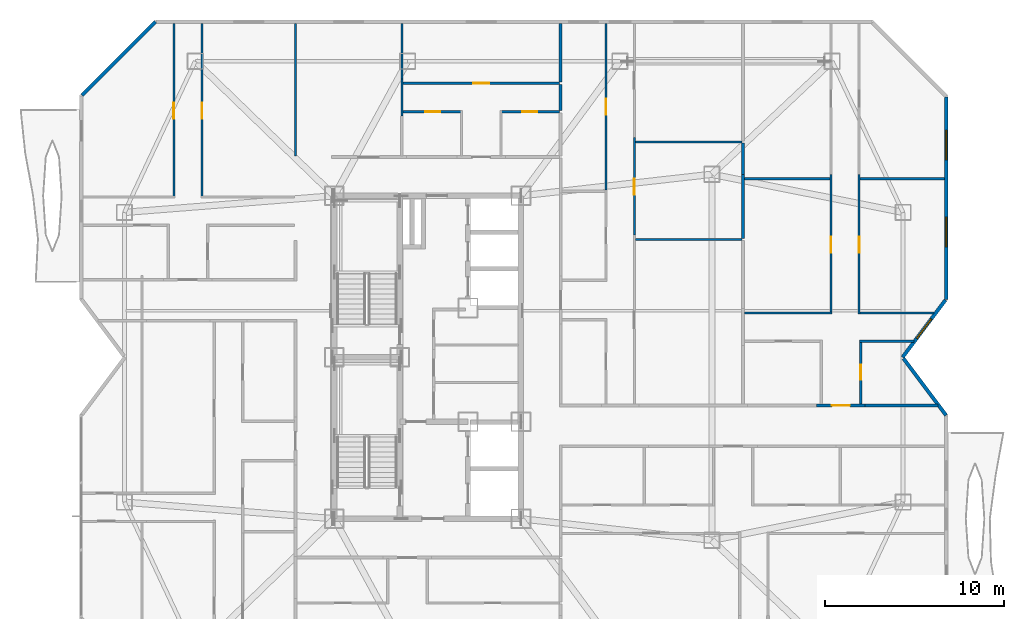
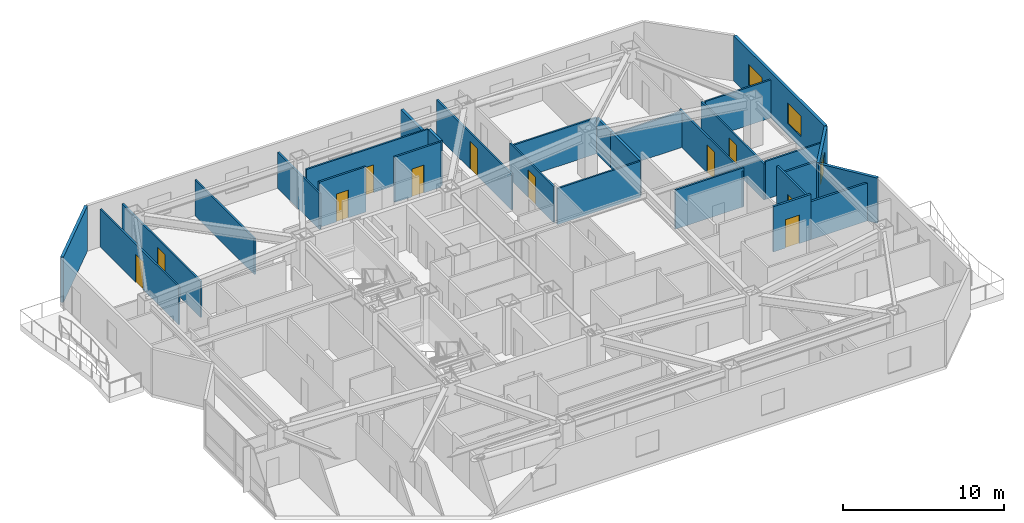
# One storey, part 14 of 17: 30 walls, 11 doors, 3 windows, 14 openings.
"""IFC4 building model written with IfcOpenShell, lengths in metres."""

from ifc_helpers import new_model, si_unit, direction, frame, frame_2d, origin, place, context, subcontext, project, spatial, rectangle, extrude, material, layer, layer_set, type_object, element, fill, save


model = new_model("IFC4")

# Units and contexts
model_context = context("Model", 3, precision=1e-05, world=origin(), true_north=direction((0.0, 1.0)))
body_context = subcontext(model_context, "Body", "Model", "MODEL_VIEW")
ifc_project = project(units=[si_unit("LENGTHUNIT", "METRE"), si_unit("AREAUNIT", "SQUARE_METRE"), si_unit("VOLUMEUNIT", "CUBIC_METRE"), si_unit("PLANEANGLEUNIT", "RADIAN"), si_unit("MASSUNIT", "GRAM", prefix="KILO")], contexts=[model_context])

# Site, building, storey
site_placement = place(None, origin())
site = spatial("IfcSite", under=ifc_project, at=site_placement, CompositionType="ELEMENT")
building_placement = place(site_placement, origin())
building = spatial("IfcBuilding", under=site, at=building_placement, Name="Khamvora Tower", CompositionType="ELEMENT")
storey_placement = place(building_placement, frame((0.0, 0.0, 192.39990234375)))
storey = spatial("IfcBuildingStorey", under=building, at=storey_placement, Name="L49", CompositionType="ELEMENT", Elevation=192.39990234375)

# Wall, opening, door
ifc_material_1 = material(Name="Fire-Rated Drywall and Steel Stud", Category="steel")
ifc_layer_1 = layer(ifc_material_1, 0.14990234375)
ifc_layer_set_1 = layer_set([ifc_layer_1], Name="Fire-Rated Drywall and Steel Stud")
wall_type_1 = type_object("IfcWallType", Name="WAL-CORR-150", PredefinedType="STANDARD", material=ifc_layer_set_1)
wall_1_placement = place(storey_placement, frame((55.889892578125, 25.31494140625, 0.0), z_axis=(0.0, 0.0, 1.0), x_axis=(1.0, 0.0, 0.0)))
wall_1 = element("IfcWall", 1, at=wall_1_placement, inside=storey, type_object=wall_type_1, Name="L49 interior partition wall 041", PredefinedType="STANDARD", context=body_context, shape_type="SweptSolid", body=[
    extrude(rectangle(XDim=2.697998046875, YDim=0.14990234375, at=frame_2d((1.34912109375, 0.0))), origin(), (0.0, 0.0, 1.0), 3.43017578125),
])
opening_1_placement = place(wall_1_placement, frame((0.84912109375, 0.0, 0.0)))
opening_1 = element("IfcOpeningElement", 2, at=opening_1_placement, cuts=wall_1, Name="Opening D-U1", PredefinedType="OPENING", context=body_context, shape_type="SweptSolid", body=[
    extrude(rectangle(XDim=1.0, YDim=2.14990234375, at=frame_2d((0.5, 1.074951171875))), frame((0.0, 0.0849609375, 0.0), z_axis=(0.0, -1.0, 0.0), x_axis=(1.0, 0.0, 0.0)), (0.0, 0.0, 1.0), 0.169921875),
])
ifc_material_2 = material(Name="Powder-Coated Steel and Hardwood Leaf", Category="steel")
door_type_1 = type_object("IfcDoorType", Name="DOR-UNIT-1000", OperationType="NOTDEFINED", PredefinedType="DOOR", material=ifc_material_2)
door_1_placement = place(opening_1_placement, origin())
door_1 = element("IfcDoor", 3, at=door_1_placement, inside=storey, type_object=door_type_1, Name="L49 interior door COR-49ECH", OperationType="SINGLE_SWING_LEFT", OverallHeight=2.14990234375, OverallWidth=1.0, PredefinedType="DOOR", context=body_context, shape_type="SweptSolid", body=[
    extrude(rectangle(XDim=1.0, YDim=2.14990234375, at=frame_2d((0.5, 1.074951171875))), frame((0.0, 0.02490234375, 0.0), z_axis=(0.0, -1.0, 0.0), x_axis=(1.0, 0.0, 0.0)), (0.0, 0.0, 1.0), 0.050048828125),
])
fill(opening_1, door_1)

# Walls
wall_2_placement = place(storey_placement, frame((58.587890625, 25.31494140625, 0.0), z_axis=(0.0, 0.0, 1.0), x_axis=(1.0, 0.0, 0.0)))
element("IfcWall", 4, at=wall_2_placement, inside=storey, type_object=wall_type_1, Name="L49 interior partition wall 042", PredefinedType="STANDARD", context=body_context, shape_type="SweptSolid", body=[
    extrude(rectangle(XDim=4.07421875, YDim=0.14990234375, at=frame_2d((2.037109375, 0.0))), origin(), (0.0, 0.0, 1.0), 2.8759765625),
])
ifc_material_3 = material(Name="Acoustic Double-Stud Fire Wall", Category="gypsum")
ifc_layer_2 = layer(ifc_material_3, 0.179931640625)
ifc_layer_set_2 = layer_set([ifc_layer_2], Name="Acoustic Double-Stud Fire Wall")
wall_type_2 = type_object("IfcWallType", Name="WAL-CORR-180", PredefinedType="STANDARD", material=ifc_layer_set_2)
wall_3_placement = place(storey_placement, frame((41.614990234375, 43.2099609375, 0.0), z_axis=(0.0, 0.0, 1.0), x_axis=(0.0, -1.0, 0.0)))
element("IfcWall", 5, at=wall_3_placement, inside=storey, type_object=wall_type_2, Name="L49 interior partition wall 089", PredefinedType="STANDARD", context=body_context, shape_type="SweptSolid", body=[
    extrude(rectangle(XDim=1.449951171875, YDim=0.179931640625, at=frame_2d((0.72509765625, 0.0))), origin(), (0.0, 0.0, 1.0), 3.43017578125),
])
wall_4_placement = place(storey_placement, frame((41.614990234375, 46.60791015625, 0.0), z_axis=(0.0, 0.0, 1.0), x_axis=(0.0, -1.0, 0.0)))
element("IfcWall", 6, at=wall_4_placement, inside=storey, type_object=wall_type_2, Name="L49 interior partition wall 091", PredefinedType="STANDARD", context=body_context, shape_type="SweptSolid", body=[
    extrude(rectangle(XDim=3.267822265625, YDim=0.179931640625, at=frame_2d((1.6337890625, 0.0))), origin(), (0.0, 0.0, 1.0), 2.8759765625),
])
wall_5_placement = place(storey_placement, frame((51.784912109375, 38.196044921875, 0.0), z_axis=(0.0, 0.0, 1.0), x_axis=(0.0, -1.0, 0.0)))
element("IfcWall", 7, at=wall_5_placement, inside=storey, type_object=wall_type_2, Name="L49 interior partition wall 122", PredefinedType="STANDARD", context=body_context, shape_type="SweptSolid", body=[
    extrude(rectangle(XDim=3.56396484375, YDim=0.179931640625, at=frame_2d((1.781982421875, 0.0))), origin(), (0.0, 0.0, 1.0), 2.72509765625),
])
wall_6_placement = place(storey_placement, frame((51.784912109375, 39.93798828125, 0.0), z_axis=(0.0, 0.0, 1.0), x_axis=(0.0, -1.0, 0.0)))
element("IfcWall", 8, at=wall_6_placement, inside=storey, type_object=wall_type_2, Name="L49 interior partition wall 123", PredefinedType="STANDARD", context=body_context, shape_type="SweptSolid", body=[
    extrude(rectangle(XDim=1.741943359375, YDim=0.179931640625, at=frame_2d((0.87109375, 0.0))), origin(), (0.0, 0.0, 1.0), 2.72509765625),
])
ifc_material_4 = material(Name="Precast concrete C40/50", Category="concrete")
ifc_layer_3 = layer(ifc_material_4, 0.199951171875)
ifc_layer_set_3 = layer_set([ifc_layer_3], Name="Precast concrete C40/50")
wall_type_3 = type_object("IfcWallType", Name="WAL-EXT-200", PredefinedType="STANDARD", material=ifc_layer_set_3)
wall_7_placement = place(storey_placement, frame((14.945068359375, 42.60400390625, 0.0), z_axis=(0.0, 0.0, 1.0), x_axis=(0.707106781187, 0.707106781187, 0.0)))
element("IfcWall", 9, at=wall_7_placement, inside=storey, type_object=wall_type_3, Name="L49 exterior facade wall 06.1", PredefinedType="STANDARD", context=body_context, shape_type="SweptSolid", body=[
    extrude(rectangle(XDim=5.79248046875, YDim=0.199951171875, at=frame_2d((2.896240234375, 0.0))), origin(), (0.0, 0.0, 1.0), 3.43017578125),
])

# Wall, openings, windows
wall_8_placement = place(storey_placement, frame((63.10009765625, 42.49609375, 0.0), z_axis=(0.0, 0.0, 1.0), x_axis=(0.0, -1.0, 0.0)))
wall_8 = element("IfcWall", 10, at=wall_8_placement, inside=storey, type_object=wall_type_3, Name="L49 exterior facade wall 09.1", PredefinedType="STANDARD", context=body_context, shape_type="SweptSolid", body=[
    extrude(rectangle(XDim=11.26318359375, YDim=0.199951171875, at=frame_2d((5.631591796875, 0.0))), origin(), (0.0, 0.0, 1.0), 3.43017578125),
])
opening_2_placement = place(wall_8_placement, frame((6.68896484375, 0.0, 0.85009765625)))
opening_2 = element("IfcOpeningElement", 11, at=opening_2_placement, cuts=wall_8, Name="Opening WN-06", PredefinedType="OPENING", context=body_context, shape_type="SweptSolid", body=[
    extrude(rectangle(XDim=1.64990234375, YDim=1.550048828125, at=frame_2d((0.824951171875, 0.77490234375))), frame((0.0, 0.10986328125, 0.0), z_axis=(0.0, -1.0, 0.0), x_axis=(1.0, 0.0, 0.0)), (0.0, 0.0, 1.0), 0.219970703125),
])
opening_3_placement = place(wall_8_placement, frame((1.842041015625, 0.0, 0.85009765625)))
opening_3 = element("IfcOpeningElement", 12, at=opening_3_placement, cuts=wall_8, Name="Opening WN-06", PredefinedType="OPENING", context=body_context, shape_type="SweptSolid", body=[
    extrude(rectangle(XDim=1.64990234375, YDim=1.550048828125, at=frame_2d((0.824951171875, 0.77490234375))), frame((0.0, 0.10986328125, 0.0), z_axis=(0.0, -1.0, 0.0), x_axis=(1.0, 0.0, 0.0)), (0.0, 0.0, 1.0), 0.219970703125),
])
ifc_material_5 = material(Name="Low-E Laminated Double Glazing", Category="glass")
window_type_1 = type_object("IfcWindowType", Name="WIN-VIS-1650x1550", PartitioningType="SINGLE_PANEL", PredefinedType="WINDOW", material=ifc_material_5)
window_1_placement = place(opening_2_placement, origin())
window_1 = element("IfcWindow", 13, at=window_1_placement, inside=storey, type_object=window_type_1, Name="L49 vision window 09.1.01", OverallHeight=1.550048828125, OverallWidth=1.64990234375, PartitioningType="SINGLE_PANEL", PredefinedType="WINDOW", context=body_context, shape_type="SweptSolid", body=[
    extrude(rectangle(XDim=1.64990234375, YDim=1.550048828125, at=frame_2d((0.824951171875, 0.77490234375))), frame((0.0, 0.030029296875, 0.0), z_axis=(0.0, -1.0, 0.0), x_axis=(1.0, 0.0, 0.0)), (0.0, 0.0, 1.0), 0.06005859375),
])
fill(opening_2, window_1)
window_2_placement = place(opening_3_placement, origin())
window_2 = element("IfcWindow", 14, at=window_2_placement, inside=storey, type_object=window_type_1, Name="L49 vision window 09.1.02", OverallHeight=1.550048828125, OverallWidth=1.64990234375, PartitioningType="SINGLE_PANEL", PredefinedType="WINDOW", context=body_context, shape_type="SweptSolid", body=[
    extrude(rectangle(XDim=1.64990234375, YDim=1.550048828125, at=frame_2d((0.824951171875, 0.77490234375))), frame((0.0, 0.030029296875, 0.0), z_axis=(0.0, -1.0, 0.0), x_axis=(1.0, 0.0, 0.0)), (0.0, 0.0, 1.0), 0.06005859375),
])
fill(opening_3, window_2)

# Wall, opening, window
wall_9_placement = place(storey_placement, frame((63.069091796875, 31.19091796875, 0.0), z_axis=(0.0, 0.0, 1.0), x_axis=(-0.600137081448, -0.799897170561, 0.0)))
wall_9 = element("IfcWall", 15, at=wall_9_placement, inside=storey, type_object=wall_type_3, Name="L49 exterior facade wall 10.1", PredefinedType="STANDARD", context=body_context, shape_type="SweptSolid", body=[
    extrude(rectangle(XDim=3.9892578125, YDim=0.199951171875, at=frame_2d((1.99462890625, 0.0))), origin(), (0.0, 0.0, 1.0), 3.43017578125),
])
opening_4_placement = place(wall_9_placement, frame((1.318115234375, 0.0, 0.85009765625)))
opening_4 = element("IfcOpeningElement", 16, at=opening_4_placement, cuts=wall_9, Name="Opening WN-07", PredefinedType="OPENING", context=body_context, shape_type="SweptSolid", body=[
    extrude(rectangle(XDim=1.35009765625, YDim=1.5, at=frame_2d((0.675048828125, 0.75))), frame((0.0, 0.10986328125, 0.0), z_axis=(0.0, -1.0, 0.0), x_axis=(1.0, 0.0, 0.0)), (0.0, 0.0, 1.0), 0.219970703125),
])
window_type_2 = type_object("IfcWindowType", Name="WIN-VIS-1350x1500", PartitioningType="SINGLE_PANEL", PredefinedType="WINDOW", material=ifc_material_5)
window_3_placement = place(opening_4_placement, origin())
window_3 = element("IfcWindow", 17, at=window_3_placement, inside=storey, type_object=window_type_2, Name="L49 vision window 10.1.01", OverallHeight=1.5, OverallWidth=1.35009765625, PartitioningType="SINGLE_PANEL", PredefinedType="WINDOW", context=body_context, shape_type="SweptSolid", body=[
    extrude(rectangle(XDim=1.35009765625, YDim=1.5, at=frame_2d((0.675048828125, 0.75))), frame((0.0, 0.030029296875, 0.0), z_axis=(0.0, -1.0, 0.0), x_axis=(1.0, 0.0, 0.0)), (0.0, 0.0, 1.0), 0.06005859375),
])
fill(opening_4, window_3)

# Walls
wall_10_placement = place(storey_placement, frame((60.72705078125, 27.930908203125, 0.0), z_axis=(0.0, 0.0, 1.0), x_axis=(0.600029630681, -0.799977776132, 0.0)))
element("IfcWall", 18, at=wall_10_placement, inside=storey, type_object=wall_type_3, Name="L49 exterior facade wall 11.1", PredefinedType="STANDARD", context=body_context, shape_type="SweptSolid", body=[
    extrude(rectangle(XDim=3.954833984375, YDim=0.199951171875, at=frame_2d((1.9775390625, 0.0))), origin(), (0.0, 0.0, 1.0), 3.43017578125),
])
ifc_material_6 = material(Name="Gypsum Plasterboard Partition", Category="gypsum")
ifc_layer_4 = layer(ifc_material_6, 0.1201171875)
ifc_layer_set_4 = layer_set([ifc_layer_4], Name="Gypsum Plasterboard Partition")
wall_type_4 = type_object("IfcWallType", Name="WAL-PART-120", PredefinedType="PARTITIONING", material=ifc_layer_set_4)
wall_11_placement = place(storey_placement, frame((26.8349609375, 39.22998046875, 0.0), z_axis=(0.0, 0.0, 1.0), x_axis=(0.0, 1.0, 0.0)))
element("IfcWall", 19, at=wall_11_placement, inside=storey, type_object=wall_type_4, Name="L49 interior partition wall 044", PredefinedType="PARTITIONING", context=body_context, shape_type="SweptSolid", body=[
    extrude(rectangle(XDim=7.3779296875, YDim=0.1201171875, at=frame_2d((3.68896484375, 0.0))), origin(), (0.0, 0.0, 1.0), 2.72509765625),
])
wall_12_placement = place(storey_placement, frame((32.764892578125, 43.52392578125, 0.0), z_axis=(0.0, 0.0, 1.0), x_axis=(0.0, -1.0, 0.0)))
element("IfcWall", 20, at=wall_12_placement, inside=storey, type_object=wall_type_4, Name="L49 interior partition wall 045", PredefinedType="PARTITIONING", context=body_context, shape_type="SweptSolid", body=[
    extrude(rectangle(XDim=2.077880859375, YDim=0.1201171875, at=frame_2d((1.0390625, 0.0))), origin(), (0.0, 0.0, 1.0), 2.72509765625),
])
wall_13_placement = place(storey_placement, frame((32.764892578125, 46.60791015625, 0.0), z_axis=(0.0, 0.0, 1.0), x_axis=(0.0, -1.0, 0.0)))
element("IfcWall", 21, at=wall_13_placement, inside=storey, type_object=wall_type_4, Name="L49 interior partition wall 047", PredefinedType="PARTITIONING", context=body_context, shape_type="SweptSolid", body=[
    extrude(rectangle(XDim=3.083984375, YDim=0.1201171875, at=frame_2d((1.5419921875, 0.0))), origin(), (0.0, 0.0, 1.0), 2.72509765625),
])

# Wall, opening, door
wall_14_placement = place(storey_placement, frame((20.054931640625, 36.8759765625, 0.0), z_axis=(0.0, 0.0, 1.0), x_axis=(0.0, 1.0, 0.0)))
wall_14 = element("IfcWall", 22, at=wall_14_placement, inside=storey, type_object=wall_type_4, Name="L49 interior partition wall 070", PredefinedType="PARTITIONING", context=body_context, shape_type="SweptSolid", body=[
    extrude(rectangle(XDim=9.73193359375, YDim=0.1201171875, at=frame_2d((4.865966796875, 0.0))), origin(), (0.0, 0.0, 1.0), 2.8759765625),
])
opening_5_placement = place(wall_14_placement, frame((4.416015625, 0.0, 0.0)))
opening_5 = element("IfcOpeningElement", 23, at=opening_5_placement, cuts=wall_14, Name="Opening D-RM1", PredefinedType="OPENING", context=body_context, shape_type="SweptSolid", body=[
    extrude(rectangle(XDim=0.89990234375, YDim=2.10009765625, at=frame_2d((0.449951171875, 1.050048828125))), frame((0.0, 0.070068359375, 0.0), z_axis=(0.0, -1.0, 0.0), x_axis=(1.0, 0.0, 0.0)), (0.0, 0.0, 1.0), 0.14013671875),
])
door_type_2 = type_object("IfcDoorType", Name="DOR-ROOM-900", OperationType="NOTDEFINED", PredefinedType="DOOR", material=ifc_material_2)
door_2_placement = place(opening_5_placement, origin())
door_2 = element("IfcDoor", 24, at=door_2_placement, inside=storey, type_object=door_type_2, Name="L49 interior door 49WBH-49WBR1", OperationType="SINGLE_SWING_LEFT", OverallHeight=2.10009765625, OverallWidth=0.89990234375, PredefinedType="DOOR", context=body_context, shape_type="SweptSolid", body=[
    extrude(rectangle(XDim=0.89990234375, YDim=2.10009765625, at=frame_2d((0.449951171875, 1.050048828125))), frame((0.0, 0.02490234375, 0.0), z_axis=(0.0, -1.0, 0.0), x_axis=(1.0, 0.0, 0.0)), (0.0, 0.0, 1.0), 0.050048828125),
])
fill(opening_5, door_2)

wall_15_placement = place(storey_placement, frame((21.625, 46.60791015625, 0.0), z_axis=(0.0, 0.0, 1.0), x_axis=(0.0, -1.0, 0.0)))
wall_15 = element("IfcWall", 25, at=wall_15_placement, inside=storey, type_object=wall_type_4, Name="L49 interior partition wall 071", PredefinedType="PARTITIONING", context=body_context, shape_type="SweptSolid", body=[
    extrude(rectangle(XDim=9.73193359375, YDim=0.1201171875, at=frame_2d((4.865966796875, 0.0))), origin(), (0.0, 0.0, 1.0), 2.72509765625),
])
opening_6_placement = place(wall_15_placement, frame((4.416015625, 0.0, 0.0)))
opening_6 = element("IfcOpeningElement", 26, at=opening_6_placement, cuts=wall_15, Name="Opening D-RM1", PredefinedType="OPENING", context=body_context, shape_type="SweptSolid", body=[
    extrude(rectangle(XDim=0.89990234375, YDim=2.10009765625, at=frame_2d((0.449951171875, 1.050048828125))), frame((0.0, 0.070068359375, 0.0), z_axis=(0.0, -1.0, 0.0), x_axis=(1.0, 0.0, 0.0)), (0.0, 0.0, 1.0), 0.14013671875),
])
door_3_placement = place(opening_6_placement, origin())
door_3 = element("IfcDoor", 27, at=door_3_placement, inside=storey, type_object=door_type_2, Name="L49 interior door 49WBH-49WBR2", OperationType="SINGLE_SWING_RIGHT", OverallHeight=2.10009765625, OverallWidth=0.89990234375, PredefinedType="DOOR", context=body_context, shape_type="SweptSolid", body=[
    extrude(rectangle(XDim=0.89990234375, YDim=2.10009765625, at=frame_2d((0.449951171875, 1.050048828125))), frame((0.0, 0.02490234375, 0.0), z_axis=(0.0, -1.0, 0.0), x_axis=(1.0, 0.0, 0.0)), (0.0, 0.0, 1.0), 0.050048828125),
])
fill(opening_6, door_3)

wall_16_placement = place(storey_placement, frame((32.819091796875, 43.27490234375, 0.0), z_axis=(0.0, 0.0, 1.0), x_axis=(1.0, 0.0, 0.0)))
wall_16 = element("IfcWall", 28, at=wall_16_placement, inside=storey, type_object=wall_type_4, Name="L49 interior partition wall 088", PredefinedType="PARTITIONING", context=body_context, shape_type="SweptSolid", body=[
    extrude(rectangle(XDim=8.73095703125, YDim=0.1201171875, at=frame_2d((4.365478515625, 0.0))), origin(), (0.0, 0.0, 1.0), 3.43017578125),
])
opening_7_placement = place(wall_16_placement, frame((3.9150390625, 0.0, 0.0)))
opening_7 = element("IfcOpeningElement", 29, at=opening_7_placement, cuts=wall_16, Name="Opening D-RM1", PredefinedType="OPENING", context=body_context, shape_type="SweptSolid", body=[
    extrude(rectangle(XDim=0.89990234375, YDim=2.10009765625, at=frame_2d((0.449951171875, 1.050048828125))), frame((0.0, 0.070068359375, 0.0), z_axis=(0.0, -1.0, 0.0), x_axis=(1.0, 0.0, 0.0)), (0.0, 0.0, 1.0), 0.14013671875),
])
door_4_placement = place(opening_7_placement, origin())
door_4 = element("IfcDoor", 30, at=door_4_placement, inside=storey, type_object=door_type_2, Name="L49 interior door 49NAH-49NAR1", OperationType="SINGLE_SWING_LEFT", OverallHeight=2.10009765625, OverallWidth=0.89990234375, PredefinedType="DOOR", context=body_context, shape_type="SweptSolid", body=[
    extrude(rectangle(XDim=0.89990234375, YDim=2.10009765625, at=frame_2d((0.449951171875, 1.050048828125))), frame((0.0, 0.02490234375, 0.0), z_axis=(0.0, -1.0, 0.0), x_axis=(1.0, 0.0, 0.0)), (0.0, 0.0, 1.0), 0.050048828125),
])
fill(opening_7, door_4)

wall_17_placement = place(storey_placement, frame((44.14501953125, 46.60791015625, 0.0), z_axis=(0.0, 0.0, 1.0), x_axis=(0.0, -1.0, 0.0)))
wall_17 = element("IfcWall", 31, at=wall_17_placement, inside=storey, type_object=wall_type_4, Name="L49 interior partition wall 108", PredefinedType="PARTITIONING", context=body_context, shape_type="SweptSolid", body=[
    extrude(rectangle(XDim=9.286865234375, YDim=0.1201171875, at=frame_2d((4.6435546875, 0.0))), origin(), (0.0, 0.0, 1.0), 2.72509765625),
])
opening_8_placement = place(wall_17_placement, frame((4.194091796875, 0.0, 0.0)))
opening_8 = element("IfcOpeningElement", 32, at=opening_8_placement, cuts=wall_17, Name="Opening D-RM1", PredefinedType="OPENING", context=body_context, shape_type="SweptSolid", body=[
    extrude(rectangle(XDim=0.89990234375, YDim=2.10009765625, at=frame_2d((0.449951171875, 1.050048828125))), frame((0.0, 0.070068359375, 0.0), z_axis=(0.0, -1.0, 0.0), x_axis=(1.0, 0.0, 0.0)), (0.0, 0.0, 1.0), 0.14013671875),
])
door_5_placement = place(opening_8_placement, origin())
door_5 = element("IfcDoor", 33, at=door_5_placement, inside=storey, type_object=door_type_2, Name="L49 interior door 49EBW2-49EBH", OperationType="SINGLE_SWING_RIGHT", OverallHeight=2.10009765625, OverallWidth=0.89990234375, PredefinedType="DOOR", context=body_context, shape_type="SweptSolid", body=[
    extrude(rectangle(XDim=0.89990234375, YDim=2.10009765625, at=frame_2d((0.449951171875, 1.050048828125))), frame((0.0, 0.02490234375, 0.0), z_axis=(0.0, -1.0, 0.0), x_axis=(1.0, 0.0, 0.0)), (0.0, 0.0, 1.0), 0.050048828125),
])
fill(opening_8, door_5)

wall_18_placement = place(storey_placement, frame((45.72509765625, 40.2529296875, 0.0), z_axis=(0.0, 0.0, 1.0), x_axis=(0.0, -1.0, 0.0)))
wall_18 = element("IfcWall", 34, at=wall_18_placement, inside=storey, type_object=wall_type_4, Name="L49 interior partition wall 115", PredefinedType="PARTITIONING", context=body_context, shape_type="SweptSolid", body=[
    extrude(rectangle(XDim=5.43701171875, YDim=0.1201171875, at=frame_2d((2.718505859375, 0.0))), origin(), (0.0, 0.0, 1.0), 2.72509765625),
])
opening_9_placement = place(wall_18_placement, frame((2.2900390625, 0.0, 0.0)))
opening_9 = element("IfcOpeningElement", 35, at=opening_9_placement, cuts=wall_18, Name="Opening D-RM1", PredefinedType="OPENING", context=body_context, shape_type="SweptSolid", body=[
    extrude(rectangle(XDim=0.89990234375, YDim=2.10009765625, at=frame_2d((0.449951171875, 1.050048828125))), frame((0.0, 0.070068359375, 0.0), z_axis=(0.0, -1.0, 0.0), x_axis=(1.0, 0.0, 0.0)), (0.0, 0.0, 1.0), 0.14013671875),
])
door_6_placement = place(opening_9_placement, origin())
door_6 = element("IfcDoor", 36, at=door_6_placement, inside=storey, type_object=door_type_2, Name="L49 interior door 49EBH-49EBR2", OperationType="SINGLE_SWING_RIGHT", OverallHeight=2.10009765625, OverallWidth=0.89990234375, PredefinedType="DOOR", context=body_context, shape_type="SweptSolid", body=[
    extrude(rectangle(XDim=0.89990234375, YDim=2.10009765625, at=frame_2d((0.449951171875, 1.050048828125))), frame((0.0, 0.02490234375, 0.0), z_axis=(0.0, -1.0, 0.0), x_axis=(1.0, 0.0, 0.0)), (0.0, 0.0, 1.0), 0.050048828125),
])
fill(opening_9, door_6)

# Walls
for number, where, z_axis, x_axis, name in (
    (37, (45.779052734375, 34.56689453125, 0.0), (0.0, 0.0, 1.0), (1.0, 0.0, 0.0), "L49 interior partition wall 117"),
    (38, (45.779052734375, 40.0029296875, 0.0), (0.0, 0.0, 1.0), (1.0, 0.0, 0.0), "L49 interior partition wall 121"),
):
    element("IfcWall", number, at=place(storey_placement, frame(where, z_axis=z_axis, x_axis=x_axis)), inside=storey, type_object=wall_type_4, Name=name, PredefinedType="PARTITIONING", context=body_context, shape_type="SweptSolid", body=[
        extrude(rectangle(XDim=5.94091796875, YDim=0.1201171875, at=frame_2d((2.970458984375, 0.0))), origin(), (0.0, 0.0, 1.0), 2.72509765625),
    ])
wall_19_placement = place(storey_placement, frame((51.866943359375, 30.47509765625, 0.0), z_axis=(0.0, 0.0, 1.0), x_axis=(1.0, 0.0, 0.0)))
element("IfcWall", 39, at=wall_19_placement, inside=storey, type_object=wall_type_4, Name="L49 interior partition wall 129", PredefinedType="PARTITIONING", context=body_context, shape_type="SweptSolid", body=[
    extrude(rectangle(XDim=4.883056640625, YDim=0.1201171875, at=frame_2d((2.44140625, 0.0))), origin(), (0.0, 0.0, 1.0), 2.961181640625),
])

# Wall, opening, door
wall_20_placement = place(storey_placement, frame((56.68505859375, 30.409912109375, 0.0), z_axis=(0.0, 0.0, 1.0), x_axis=(0.0, 1.0, 0.0)))
wall_20 = element("IfcWall", 40, at=wall_20_placement, inside=storey, type_object=wall_type_4, Name="L49 interior partition wall 130", PredefinedType="PARTITIONING", context=body_context, shape_type="SweptSolid", body=[
    extrude(rectangle(XDim=7.7861328125, YDim=0.1201171875, at=frame_2d((3.89306640625, 0.0))), origin(), (0.0, 0.0, 1.0), 2.72509765625),
])
opening_10_placement = place(wall_20_placement, frame((3.422119140625, 0.0, 0.0)))
opening_10 = element("IfcOpeningElement", 41, at=opening_10_placement, cuts=wall_20, Name="Opening D-RM1", PredefinedType="OPENING", context=body_context, shape_type="SweptSolid", body=[
    extrude(rectangle(XDim=0.89990234375, YDim=2.10009765625, at=frame_2d((0.449951171875, 1.050048828125))), frame((0.0, 0.070068359375, 0.0), z_axis=(0.0, -1.0, 0.0), x_axis=(1.0, 0.0, 0.0)), (0.0, 0.0, 1.0), 0.14013671875),
])
door_7_placement = place(opening_10_placement, origin())
door_7 = element("IfcDoor", 42, at=door_7_placement, inside=storey, type_object=door_type_2, Name="L49 interior door 49ECH-49ECR1", OperationType="SINGLE_SWING_RIGHT", OverallHeight=2.10009765625, OverallWidth=0.89990234375, PredefinedType="DOOR", context=body_context, shape_type="SweptSolid", body=[
    extrude(rectangle(XDim=0.89990234375, YDim=2.10009765625, at=frame_2d((0.449951171875, 1.050048828125))), frame((0.0, 0.02490234375, 0.0), z_axis=(0.0, -1.0, 0.0), x_axis=(1.0, 0.0, 0.0)), (0.0, 0.0, 1.0), 0.050048828125),
])
fill(opening_10, door_7)

wall_21_placement = place(storey_placement, frame((58.2548828125, 38.196044921875, 0.0), z_axis=(0.0, 0.0, 1.0), x_axis=(0.0, -1.0, 0.0)))
wall_21 = element("IfcWall", 43, at=wall_21_placement, inside=storey, type_object=wall_type_4, Name="L49 interior partition wall 132", PredefinedType="PARTITIONING", context=body_context, shape_type="SweptSolid", body=[
    extrude(rectangle(XDim=7.7861328125, YDim=0.1201171875, at=frame_2d((3.89306640625, 0.0))), origin(), (0.0, 0.0, 1.0), 2.72509765625),
])
opening_11_placement = place(wall_21_placement, frame((3.464111328125, 0.0, 0.0)))
opening_11 = element("IfcOpeningElement", 44, at=opening_11_placement, cuts=wall_21, Name="Opening D-RM1", PredefinedType="OPENING", context=body_context, shape_type="SweptSolid", body=[
    extrude(rectangle(XDim=0.89990234375, YDim=2.10009765625, at=frame_2d((0.449951171875, 1.050048828125))), frame((0.0, 0.070068359375, 0.0), z_axis=(0.0, -1.0, 0.0), x_axis=(1.0, 0.0, 0.0)), (0.0, 0.0, 1.0), 0.14013671875),
])
door_8_placement = place(opening_11_placement, origin())
door_8 = element("IfcDoor", 45, at=door_8_placement, inside=storey, type_object=door_type_2, Name="L49 interior door 49ECH-49ECR3", OperationType="SINGLE_SWING_RIGHT", OverallHeight=2.10009765625, OverallWidth=0.89990234375, PredefinedType="DOOR", context=body_context, shape_type="SweptSolid", body=[
    extrude(rectangle(XDim=0.89990234375, YDim=2.10009765625, at=frame_2d((0.449951171875, 1.050048828125))), frame((0.0, 0.02490234375, 0.0), z_axis=(0.0, -1.0, 0.0), x_axis=(1.0, 0.0, 0.0)), (0.0, 0.0, 1.0), 0.050048828125),
])
fill(opening_11, door_8)

# Walls
wall_22_placement = place(storey_placement, frame((58.306884765625, 30.47509765625, 0.0), z_axis=(0.0, 0.0, 1.0), x_axis=(1.0, 0.0, 0.0)))
element("IfcWall", 46, at=wall_22_placement, inside=storey, type_object=wall_type_4, Name="L49 interior partition wall 133", PredefinedType="PARTITIONING", context=body_context, shape_type="SweptSolid", body=[
    extrude(rectangle(XDim=4.1201171875, YDim=0.1201171875, at=frame_2d((2.06005859375, 0.0))), origin(), (0.0, 0.0, 1.0), 2.8759765625),
])
wall_23_placement = place(storey_placement, frame((51.866943359375, 37.947021484375, 0.0), z_axis=(0.0, 0.0, 1.0), x_axis=(1.0, 0.0, 0.0)))
element("IfcWall", 47, at=wall_23_placement, inside=storey, type_object=wall_type_4, Name="L49 interior partition wall 135", PredefinedType="PARTITIONING", context=body_context, shape_type="SweptSolid", body=[
    extrude(rectangle(XDim=4.76416015625, YDim=0.1201171875, at=frame_2d((2.382080078125, 0.0))), origin(), (0.0, 0.0, 1.0), 2.72509765625),
])
wall_24_placement = place(storey_placement, frame((58.30908203125, 37.947021484375, 0.0), z_axis=(0.0, 0.0, 1.0), x_axis=(1.0, 0.0, 0.0)))
element("IfcWall", 48, at=wall_24_placement, inside=storey, type_object=wall_type_4, Name="L49 interior partition wall 136", PredefinedType="PARTITIONING", context=body_context, shape_type="SweptSolid", body=[
    extrude(rectangle(XDim=4.698974609375, YDim=0.1201171875, at=frame_2d((2.349609375, 0.0))), origin(), (0.0, 0.0, 1.0), 2.8759765625),
])

# Wall, opening, door
ifc_material_7 = material(Name="Moisture-Resistant Plasterboard Partition", Category="gypsum")
ifc_layer_5 = layer(ifc_material_7, 0.135009765625)
ifc_layer_set_5 = layer_set([ifc_layer_5], Name="Moisture-Resistant Plasterboard Partition")
wall_type_5 = type_object("IfcWallType", Name="WAL-WET-135", PredefinedType="PARTITIONING", material=ifc_layer_set_5)
wall_25_placement = place(storey_placement, frame((36.155029296875, 41.695068359375, 0.0), z_axis=(0.0, 0.0, 1.0), x_axis=(-1.0, 0.0, 0.0)))
wall_25 = element("IfcWall", 49, at=wall_25_placement, inside=storey, type_object=wall_type_5, Name="L49 interior partition wall 085", PredefinedType="PARTITIONING", context=body_context, shape_type="SweptSolid", body=[
    extrude(rectangle(XDim=3.3359375, YDim=0.135009765625, at=frame_2d((1.66796875, 0.0))), origin(), (0.0, 0.0, 1.0), 3.43017578125),
])
opening_12_placement = place(wall_25_placement, frame((1.242919921875, 0.0, 0.0)))
opening_12 = element("IfcOpeningElement", 50, at=opening_12_placement, cuts=wall_25, Name="Opening D-WC1", PredefinedType="OPENING", context=body_context, shape_type="SweptSolid", body=[
    extrude(rectangle(XDim=0.85009765625, YDim=2.10009765625, at=frame_2d((0.425048828125, 1.050048828125))), frame((0.0, 0.077392578125, 0.0), z_axis=(0.0, -1.0, 0.0), x_axis=(1.0, 0.0, 0.0)), (0.0, 0.0, 1.0), 0.155029296875),
])
door_type_3 = type_object("IfcDoorType", Name="DOR-WET-850", OperationType="NOTDEFINED", PredefinedType="DOOR", material=ifc_material_2)
door_9_placement = place(opening_12_placement, origin())
door_9 = element("IfcDoor", 51, at=door_9_placement, inside=storey, type_object=door_type_3, Name="L49 interior door 49NAH-49NAB", OperationType="SINGLE_SWING_LEFT", OverallHeight=2.10009765625, OverallWidth=0.85009765625, PredefinedType="DOOR", context=body_context, shape_type="SweptSolid", body=[
    extrude(rectangle(XDim=0.85009765625, YDim=2.10009765625, at=frame_2d((0.425048828125, 1.050048828125))), frame((0.0, 0.02490234375, 0.0), z_axis=(0.0, -1.0, 0.0), x_axis=(1.0, 0.0, 0.0)), (0.0, 0.0, 1.0), 0.050048828125),
])
fill(opening_12, door_9)

wall_26_placement = place(storey_placement, frame((41.550048828125, 41.695068359375, 0.0), z_axis=(0.0, 0.0, 1.0), x_axis=(-1.0, 0.0, 0.0)))
wall_26 = element("IfcWall", 52, at=wall_26_placement, inside=storey, type_object=wall_type_5, Name="L49 interior partition wall 086", PredefinedType="PARTITIONING", context=body_context, shape_type="SweptSolid", body=[
    extrude(rectangle(XDim=3.324951171875, YDim=0.135009765625, at=frame_2d((1.66259765625, 0.0))), origin(), (0.0, 0.0, 1.0), 3.43017578125),
])
opening_13_placement = place(wall_26_placement, frame((1.238037109375, 0.0, 0.0)))
opening_13 = element("IfcOpeningElement", 53, at=opening_13_placement, cuts=wall_26, Name="Opening D-RM2", PredefinedType="OPENING", context=body_context, shape_type="SweptSolid", body=[
    extrude(rectangle(XDim=0.85009765625, YDim=2.10009765625, at=frame_2d((0.425048828125, 1.050048828125))), frame((0.0, 0.077392578125, 0.0), z_axis=(0.0, -1.0, 0.0), x_axis=(1.0, 0.0, 0.0)), (0.0, 0.0, 1.0), 0.155029296875),
])
door_type_4 = type_object("IfcDoorType", Name="DOR-ROOM-850", OperationType="NOTDEFINED", PredefinedType="DOOR", material=ifc_material_2)
door_10_placement = place(opening_13_placement, origin())
door_10 = element("IfcDoor", 54, at=door_10_placement, inside=storey, type_object=door_type_4, Name="L49 interior door 49NAH-49NAK", OperationType="SINGLE_SWING_RIGHT", OverallHeight=2.10009765625, OverallWidth=0.85009765625, PredefinedType="DOOR", context=body_context, shape_type="SweptSolid", body=[
    extrude(rectangle(XDim=0.85009765625, YDim=2.10009765625, at=frame_2d((0.425048828125, 1.050048828125))), frame((0.0, 0.02490234375, 0.0), z_axis=(0.0, -1.0, 0.0), x_axis=(1.0, 0.0, 0.0)), (0.0, 0.0, 1.0), 0.050048828125),
])
fill(opening_13, door_10)

# Wall
wall_27_placement = place(storey_placement, frame((61.320068359375, 28.89501953125, 0.0), z_axis=(0.0, 0.0, 1.0), x_axis=(-1.0, 0.0, 0.0)))
element("IfcWall", 55, at=wall_27_placement, inside=storey, type_object=wall_type_5, Name="L49 interior partition wall 125", PredefinedType="PARTITIONING", context=body_context, shape_type="SweptSolid", body=[
    extrude(rectangle(XDim=3.046142578125, YDim=0.135009765625, at=frame_2d((1.52294921875, 0.0))), origin(), (0.0, 0.0, 1.0), 2.8759765625),
])

# Wall, opening, door
wall_28_placement = place(storey_placement, frame((58.339111328125, 28.9599609375, 0.0), z_axis=(0.0, 0.0, 1.0), x_axis=(0.0, -1.0, 0.0)))
wall_28 = element("IfcWall", 56, at=wall_28_placement, inside=storey, type_object=wall_type_5, Name="L49 interior partition wall 126", PredefinedType="PARTITIONING", context=body_context, shape_type="SweptSolid", body=[
    extrude(rectangle(XDim=3.577880859375, YDim=0.135009765625, at=frame_2d((1.7890625, 0.0))), origin(), (0.0, 0.0, 1.0), 3.43017578125),
])
opening_14_placement = place(wall_28_placement, frame((1.364013671875, 0.0, 0.0)))
opening_14 = element("IfcOpeningElement", 57, at=opening_14_placement, cuts=wall_28, Name="Opening D-WC1", PredefinedType="OPENING", context=body_context, shape_type="SweptSolid", body=[
    extrude(rectangle(XDim=0.85009765625, YDim=2.10009765625, at=frame_2d((0.425048828125, 1.050048828125))), frame((0.0, 0.077392578125, 0.0), z_axis=(0.0, -1.0, 0.0), x_axis=(1.0, 0.0, 0.0)), (0.0, 0.0, 1.0), 0.155029296875),
])
door_11_placement = place(opening_14_placement, origin())
door_11 = element("IfcDoor", 58, at=door_11_placement, inside=storey, type_object=door_type_3, Name="L49 interior door 49ECH-49ECB", OperationType="SINGLE_SWING_RIGHT", OverallHeight=2.10009765625, OverallWidth=0.85009765625, PredefinedType="DOOR", context=body_context, shape_type="SweptSolid", body=[
    extrude(rectangle(XDim=0.85009765625, YDim=2.10009765625, at=frame_2d((0.425048828125, 1.050048828125))), frame((0.0, 0.02490234375, 0.0), z_axis=(0.0, -1.0, 0.0), x_axis=(1.0, 0.0, 0.0)), (0.0, 0.0, 1.0), 0.050048828125),
])
fill(opening_14, door_11)

save(model, "model.ifc")
